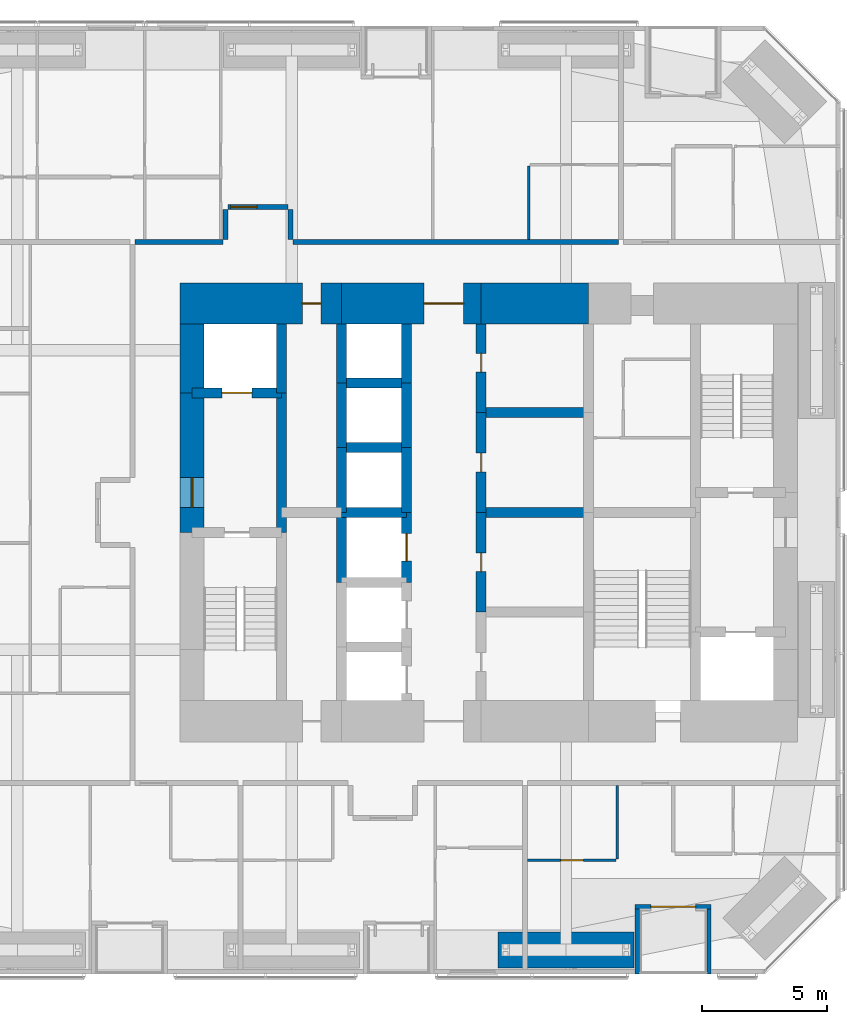
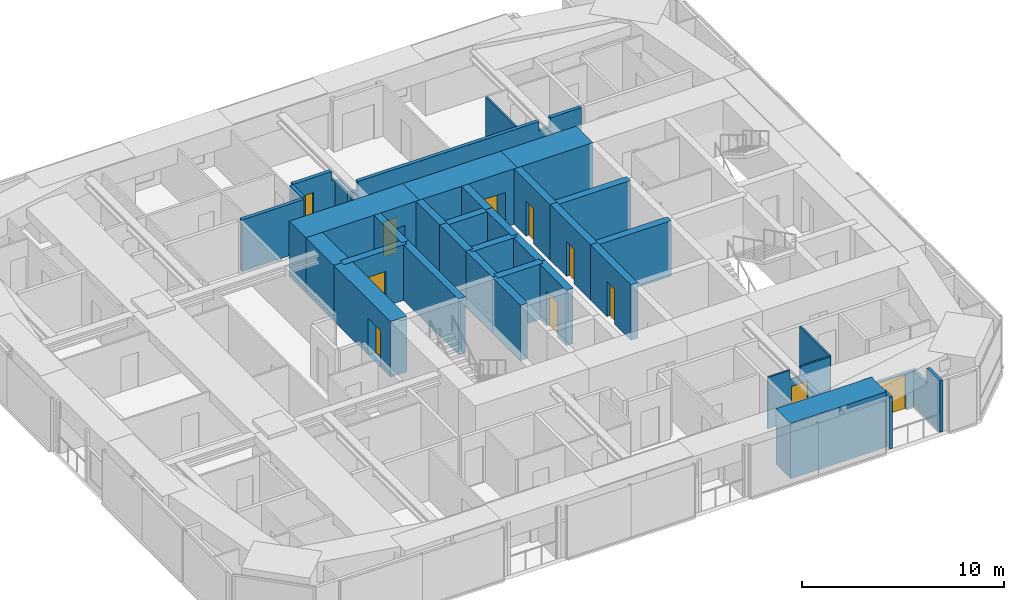
# One storey, part 19 of 23: 37 walls, 11 doors, 11 openings.
"""IFC4 building model written with IfcOpenShell, lengths in metres."""

from ifc_helpers import new_model, si_unit, direction, frame, frame_2d, origin, place, context, subcontext, project, spatial, polyline, rectangle, outline, extrude, material, layer, layer_set, constituent, constituent_set, type_object, element, fill, save


model = new_model("IFC4")

# Units and contexts
model_context = context("Model", 3, precision=1e-05, world=origin(), true_north=direction((0.0, 1.0)))
body_context = subcontext(model_context, "Body", "Model", "MODEL_VIEW")
ifc_project = project(units=[si_unit("LENGTHUNIT", "METRE"), si_unit("AREAUNIT", "SQUARE_METRE"), si_unit("VOLUMEUNIT", "CUBIC_METRE"), si_unit("PLANEANGLEUNIT", "RADIAN"), si_unit("MASSUNIT", "GRAM", prefix="KILO")], contexts=[model_context])

# Site, building, storey
site_placement = place(None, origin())
site = spatial("IfcSite", under=ifc_project, at=site_placement, CompositionType="ELEMENT")
building_placement = place(site_placement, origin())
building = spatial("IfcBuilding", under=site, at=building_placement, Name="Jalousie Tower", CompositionType="ELEMENT")
storey_placement = place(building_placement, frame((0.0, 0.0, 27.699951171875)))
storey = spatial("IfcBuildingStorey", under=building, at=storey_placement, Name="L06", CompositionType="ELEMENT", Elevation=27.699951171875)

# Wall
ifc_material_1 = material(Name="Concrete f'c 120 MPa", Category="concrete")
ifc_layer_1 = layer(ifc_material_1, 1.64990234375)
ifc_layer_set_1 = layer_set([ifc_layer_1], Name="Concrete f'c 120 MPa")
wall_type_1 = type_object("IfcWallType", Name="CORE WALL 1650", PredefinedType="SHEAR", material=ifc_layer_set_1)
wall_1_placement = place(storey_placement, frame((35.89990234375, 26.875, 0.0), z_axis=(0.0, 0.0, 1.0), x_axis=(-1.0, 0.0, 0.0)))
element("IfcWall", 1, at=wall_1_placement, inside=storey, type_object=wall_type_1, Name="Core wall NB L06", PredefinedType="SHEAR", context=body_context, shape_type="SweptSolid", body=[
    extrude(rectangle(XDim=4.2998046875, YDim=1.64990234375, at=frame_2d((2.14990234375, 0.0))), origin(), (0.0, 0.0, 1.0), 3.35009765625),
])

# Wall, opening, door
wall_2_placement = place(storey_placement, frame((31.60009765625, 26.875, 0.0), z_axis=(0.0, 0.0, 1.0), x_axis=(-1.0, 0.0, 0.0)))
wall_2 = element("IfcWall", 2, at=wall_2_placement, inside=storey, type_object=wall_type_1, Name="Core wall NC L06", PredefinedType="SHEAR", context=body_context, shape_type="SweptSolid", body=[
    extrude(rectangle(XDim=5.60009765625, YDim=1.64990234375, at=frame_2d((2.800048828125, 0.0))), origin(), (0.0, 0.0, 1.0), 3.35009765625),
])
opening_1_placement = place(wall_2_placement, frame((0.699951171875, 0.0, 0.0)))
opening_1 = element("IfcOpeningElement", 3, at=opening_1_placement, cuts=wall_2, Name="Opening D15", PredefinedType="OPENING", context=body_context, shape_type="SweptSolid", body=[
    extrude(rectangle(XDim=1.60009765625, YDim=2.10009765625, at=frame_2d((0.800048828125, 1.050048828125))), frame((0.0, 0.8349609375, 0.0), z_axis=(0.0, -1.0, 0.0), x_axis=(1.0, 0.0, 0.0)), (0.0, 0.0, 1.0), 1.669921875),
])
ifc_material_2 = material(Name="Steel fire door", Category="steel")
door_type_1 = type_object("IfcDoorType", Name="LIFT LOBBY DOOR 1600", OperationType="DOUBLE_DOOR_SINGLE_SWING", PredefinedType="DOOR", material=ifc_material_2)
door_1_placement = place(opening_1_placement, origin())
door_1 = element("IfcDoor", 4, at=door_1_placement, inside=storey, type_object=door_type_1, Name="Lift lobby north door", OperationType="DOUBLE_DOOR_SINGLE_SWING", OverallHeight=2.10009765625, OverallWidth=1.60009765625, PredefinedType="DOOR", context=body_context, shape_type="SweptSolid", body=[
    extrude(rectangle(XDim=1.60009765625, YDim=2.10009765625, at=frame_2d((0.800048828125, 1.050048828125))), frame((0.0, 0.02490234375, 0.0), z_axis=(0.0, -1.0, 0.0), x_axis=(1.0, 0.0, 0.0)), (0.0, 0.0, 1.0), 0.050048828125),
])
fill(opening_1, door_1)

wall_3_placement = place(storey_placement, frame((26.0, 26.875, 0.0), z_axis=(0.0, 0.0, 1.0), x_axis=(-1.0, 0.0, 0.0)))
wall_3 = element("IfcWall", 5, at=wall_3_placement, inside=storey, type_object=wall_type_1, Name="Core wall ND L06", PredefinedType="SHEAR", context=body_context, shape_type="SweptSolid", body=[
    extrude(rectangle(XDim=6.47509765625, YDim=1.64990234375, at=frame_2d((3.237548828125, 0.0))), origin(), (0.0, 0.0, 1.0), 3.35009765625),
])
opening_2_placement = place(wall_3_placement, frame((0.824951171875, 0.0, 0.0)))
opening_2 = element("IfcOpeningElement", 6, at=opening_2_placement, cuts=wall_3, Name="Opening D16", PredefinedType="OPENING", context=body_context, shape_type="SweptSolid", body=[
    extrude(rectangle(XDim=0.75, YDim=2.10009765625, at=frame_2d((0.375, 1.050048828125))), frame((0.0, 0.8349609375, 0.0), z_axis=(0.0, -1.0, 0.0), x_axis=(1.0, 0.0, 0.0)), (0.0, 0.0, 1.0), 1.669921875),
])
ifc_material_3 = material(Name="Steel fire door", Category="steel")
door_type_2 = type_object("IfcDoorType", Name="RISER DOOR 750", OperationType="SINGLE_SWING_LEFT", PredefinedType="DOOR", material=ifc_material_3)
door_2_placement = place(opening_2_placement, origin())
door_2 = element("IfcDoor", 7, at=door_2_placement, inside=storey, type_object=door_type_2, Name="North riser door", OperationType="SINGLE_SWING_RIGHT", OverallHeight=2.10009765625, OverallWidth=0.75, PredefinedType="DOOR", context=body_context, shape_type="SweptSolid", body=[
    extrude(rectangle(XDim=0.75, YDim=2.10009765625, at=frame_2d((0.375, 1.050048828125))), frame((0.0, 0.02490234375, 0.0), z_axis=(0.0, -1.0, 0.0), x_axis=(1.0, 0.0, 0.0)), (0.0, 0.0, 1.0), 0.050048828125),
])
fill(opening_2, door_2)

# Walls
ifc_material_4 = material(Name="Concrete f'c 120 MPa", Category="concrete")
ifc_layer_2 = layer(ifc_material_4, 0.39990234375)
ifc_layer_set_2 = layer_set([ifc_layer_2], Name="Concrete f'c 120 MPa")
wall_type_2 = type_object("IfcWallType", Name="CORE WALL 400", PredefinedType="SHEAR", material=ifc_layer_set_2)
wall_4_placement = place(storey_placement, frame((23.60009765625, 17.699951171875, 0.0), z_axis=(0.0, 0.0, 1.0), x_axis=(0.0, 1.0, 0.0)))
element("IfcWall", 8, at=wall_4_placement, inside=storey, type_object=wall_type_2, Name="Core wall X23.6B L06", PredefinedType="SHEAR", context=body_context, shape_type="SweptSolid", body=[
    extrude(rectangle(XDim=5.60009765625, YDim=0.39990234375, at=frame_2d((2.800048828125, 0.0))), origin(), (0.0, 0.0, 1.0), 3.35009765625),
])
wall_5_placement = place(storey_placement, frame((23.60009765625, 23.300048828125, 0.0), z_axis=(0.0, 0.0, 1.0), x_axis=(0.0, 1.0, 0.0)))
element("IfcWall", 9, at=wall_5_placement, inside=storey, type_object=wall_type_2, Name="Core wall X23.6C L06", PredefinedType="SHEAR", context=body_context, shape_type="SweptSolid", body=[
    extrude(rectangle(XDim=2.75, YDim=0.39990234375, at=frame_2d((1.375, 0.0))), origin(), (0.0, 0.0, 1.0), 3.35009765625),
])
wall_6_placement = place(storey_placement, frame((26.0, 15.699951171875, 0.0), z_axis=(0.0, 0.0, 1.0), x_axis=(0.0, 1.0, 0.0)))
element("IfcWall", 10, at=wall_6_placement, inside=storey, type_object=wall_type_2, Name="Core wall X26C L06", PredefinedType="SHEAR", context=body_context, shape_type="SweptSolid", body=[
    extrude(rectangle(XDim=2.800048828125, YDim=0.39990234375, at=frame_2d((1.39990234375, 0.0))), origin(), (0.0, 0.0, 1.0), 3.35009765625),
])
wall_7_placement = place(storey_placement, frame((26.0, 18.5, 0.0), z_axis=(0.0, 0.0, 1.0), x_axis=(0.0, 1.0, 0.0)))
element("IfcWall", 11, at=wall_7_placement, inside=storey, type_object=wall_type_2, Name="Core wall X26D L06", PredefinedType="SHEAR", context=body_context, shape_type="SweptSolid", body=[
    extrude(rectangle(XDim=2.60009765625, YDim=0.39990234375, at=frame_2d((1.300048828125, 0.0))), origin(), (0.0, 0.0, 1.0), 3.35009765625),
])
wall_8_placement = place(storey_placement, frame((26.0, 21.10009765625, 0.0), z_axis=(0.0, 0.0, 1.0), x_axis=(0.0, 1.0, 0.0)))
element("IfcWall", 12, at=wall_8_placement, inside=storey, type_object=wall_type_2, Name="Core wall X26E L06", PredefinedType="SHEAR", context=body_context, shape_type="SweptSolid", body=[
    extrude(rectangle(XDim=2.599853515625, YDim=0.39990234375, at=frame_2d((1.2998046875, 0.0))), origin(), (0.0, 0.0, 1.0), 3.35009765625),
])
wall_9_placement = place(storey_placement, frame((26.0, 23.699951171875, 0.0), z_axis=(0.0, 0.0, 1.0), x_axis=(0.0, 1.0, 0.0)))
element("IfcWall", 13, at=wall_9_placement, inside=storey, type_object=wall_type_2, Name="Core wall X26F L06", PredefinedType="SHEAR", context=body_context, shape_type="SweptSolid", body=[
    extrude(rectangle(XDim=2.35009765625, YDim=0.39990234375, at=frame_2d((1.175048828125, 0.0))), origin(), (0.0, 0.0, 1.0), 3.35009765625),
])

# Wall, opening, door
wall_10_placement = place(storey_placement, frame((28.60009765625, 15.699951171875, 0.0), z_axis=(0.0, 0.0, 1.0), x_axis=(0.0, 1.0, 0.0)))
wall_10 = element("IfcWall", 14, at=wall_10_placement, inside=storey, type_object=wall_type_2, Name="Core wall X28.6C L06", PredefinedType="SHEAR", context=body_context, shape_type="SweptSolid", body=[
    extrude(rectangle(XDim=2.800048828125, YDim=0.39990234375, at=frame_2d((1.39990234375, 0.0))), origin(), (0.0, 0.0, 1.0), 3.35009765625),
])
opening_3_placement = place(wall_10_placement, frame((0.85009765625, 0.0, 0.0)))
opening_3 = element("IfcOpeningElement", 15, at=opening_3_placement, cuts=wall_10, Name="Opening LD1", PredefinedType="OPENING", context=body_context, shape_type="SweptSolid", body=[
    extrude(rectangle(XDim=1.10009765625, YDim=2.10009765625, at=frame_2d((0.550048828125, 1.050048828125))), frame((0.0, 0.2099609375, 0.0), z_axis=(0.0, -1.0, 0.0), x_axis=(1.0, 0.0, 0.0)), (0.0, 0.0, 1.0), 0.419921875),
])
ifc_material_5 = material(Name="Steel lift landing door", Category="steel")
door_type_3 = type_object("IfcDoorType", Name="LIFT LANDING DOOR 1100", OperationType="SLIDING_TO_LEFT", PredefinedType="DOOR", material=ifc_material_5)
door_3_placement = place(opening_3_placement, origin())
door_3 = element("IfcDoor", 16, at=door_3_placement, inside=storey, type_object=door_type_3, Name="Lift P3 landing door", OperationType="SLIDING_TO_LEFT", OverallHeight=2.10009765625, OverallWidth=1.10009765625, PredefinedType="DOOR", context=body_context, shape_type="SweptSolid", body=[
    extrude(rectangle(XDim=1.10009765625, YDim=2.10009765625, at=frame_2d((0.550048828125, 1.050048828125))), frame((0.0, 0.02490234375, 0.0), z_axis=(0.0, -1.0, 0.0), x_axis=(1.0, 0.0, 0.0)), (0.0, 0.0, 1.0), 0.050048828125),
])
fill(opening_3, door_3)

# Walls
wall_11_placement = place(storey_placement, frame((28.60009765625, 18.5, 0.0), z_axis=(0.0, 0.0, 1.0), x_axis=(0.0, 1.0, 0.0)))
element("IfcWall", 17, at=wall_11_placement, inside=storey, type_object=wall_type_2, Name="Core wall X28.6D L06", PredefinedType="SHEAR", context=body_context, shape_type="SweptSolid", body=[
    extrude(rectangle(XDim=2.60009765625, YDim=0.39990234375, at=frame_2d((1.300048828125, 0.0))), origin(), (0.0, 0.0, 1.0), 3.35009765625),
])
wall_12_placement = place(storey_placement, frame((28.60009765625, 21.10009765625, 0.0), z_axis=(0.0, 0.0, 1.0), x_axis=(0.0, 1.0, 0.0)))
element("IfcWall", 18, at=wall_12_placement, inside=storey, type_object=wall_type_2, Name="Core wall X28.6E L06", PredefinedType="SHEAR", context=body_context, shape_type="SweptSolid", body=[
    extrude(rectangle(XDim=2.599853515625, YDim=0.39990234375, at=frame_2d((1.2998046875, 0.0))), origin(), (0.0, 0.0, 1.0), 3.35009765625),
])
wall_13_placement = place(storey_placement, frame((28.60009765625, 23.699951171875, 0.0), z_axis=(0.0, 0.0, 1.0), x_axis=(0.0, 1.0, 0.0)))
element("IfcWall", 19, at=wall_13_placement, inside=storey, type_object=wall_type_2, Name="Core wall X28.6F L06", PredefinedType="SHEAR", context=body_context, shape_type="SweptSolid", body=[
    extrude(rectangle(XDim=2.35009765625, YDim=0.39990234375, at=frame_2d((1.175048828125, 0.0))), origin(), (0.0, 0.0, 1.0), 3.35009765625),
])

# Wall, opening, door
wall_14_placement = place(storey_placement, frame((31.60009765625, 14.5, 0.0), z_axis=(0.0, 0.0, 1.0), x_axis=(0.0, 1.0, 0.0)))
wall_14 = element("IfcWall", 20, at=wall_14_placement, inside=storey, type_object=wall_type_2, Name="Core wall X31.6B L06", PredefinedType="SHEAR", context=body_context, shape_type="SweptSolid", body=[
    extrude(rectangle(XDim=4.0, YDim=0.39990234375, at=frame_2d((2.0, 0.0))), origin(), (0.0, 0.0, 1.0), 3.35009765625),
])
opening_4_placement = place(wall_14_placement, frame((1.625, 0.0, 0.0)))
opening_4 = element("IfcOpeningElement", 21, at=opening_4_placement, cuts=wall_14, Name="Opening D16", PredefinedType="OPENING", context=body_context, shape_type="SweptSolid", body=[
    extrude(rectangle(XDim=0.75, YDim=2.10009765625, at=frame_2d((0.375, 1.050048828125))), frame((0.0, 0.2099609375, 0.0), z_axis=(0.0, -1.0, 0.0), x_axis=(1.0, 0.0, 0.0)), (0.0, 0.0, 1.0), 0.419921875),
])
door_4_placement = place(opening_4_placement, frame((0.75, 0.0, 0.0), z_axis=(0.0, 0.0, 1.0), x_axis=(-1.0, 0.0, 0.0)))
door_4 = element("IfcDoor", 22, at=door_4_placement, inside=storey, type_object=door_type_2, Name="Electrical Room door", OperationType="SINGLE_SWING_LEFT", OverallHeight=2.10009765625, OverallWidth=0.75, PredefinedType="DOOR", context=body_context, shape_type="SweptSolid", body=[
    extrude(rectangle(XDim=0.75, YDim=2.10009765625, at=frame_2d((0.375, 1.050048828125))), frame((0.0, 0.02490234375, 0.0), z_axis=(0.0, -1.0, 0.0), x_axis=(1.0, 0.0, 0.0)), (0.0, 0.0, 1.0), 0.050048828125),
])
fill(opening_4, door_4)

wall_15_placement = place(storey_placement, frame((31.60009765625, 18.5, 0.0), z_axis=(0.0, 0.0, 1.0), x_axis=(0.0, 1.0, 0.0)))
wall_15 = element("IfcWall", 23, at=wall_15_placement, inside=storey, type_object=wall_type_2, Name="Core wall X31.6C L06", PredefinedType="SHEAR", context=body_context, shape_type="SweptSolid", body=[
    extrude(rectangle(XDim=4.0, YDim=0.39990234375, at=frame_2d((2.0, 0.0))), origin(), (0.0, 0.0, 1.0), 3.35009765625),
])
opening_5_placement = place(wall_15_placement, frame((1.625, 0.0, 0.0)))
opening_5 = element("IfcOpeningElement", 24, at=opening_5_placement, cuts=wall_15, Name="Opening D16", PredefinedType="OPENING", context=body_context, shape_type="SweptSolid", body=[
    extrude(rectangle(XDim=0.75, YDim=2.10009765625, at=frame_2d((0.375, 1.050048828125))), frame((0.0, 0.2099609375, 0.0), z_axis=(0.0, -1.0, 0.0), x_axis=(1.0, 0.0, 0.0)), (0.0, 0.0, 1.0), 0.419921875),
])
door_5_placement = place(opening_5_placement, frame((0.75, 0.0, 0.0), z_axis=(0.0, 0.0, 1.0), x_axis=(-1.0, 0.0, 0.0)))
door_5 = element("IfcDoor", 25, at=door_5_placement, inside=storey, type_object=door_type_2, Name="Telecom Room door", OperationType="SINGLE_SWING_LEFT", OverallHeight=2.10009765625, OverallWidth=0.75, PredefinedType="DOOR", context=body_context, shape_type="SweptSolid", body=[
    extrude(rectangle(XDim=0.75, YDim=2.10009765625, at=frame_2d((0.375, 1.050048828125))), frame((0.0, 0.02490234375, 0.0), z_axis=(0.0, -1.0, 0.0), x_axis=(1.0, 0.0, 0.0)), (0.0, 0.0, 1.0), 0.050048828125),
])
fill(opening_5, door_5)

wall_16_placement = place(storey_placement, frame((31.60009765625, 22.5, 0.0), z_axis=(0.0, 0.0, 1.0), x_axis=(0.0, 1.0, 0.0)))
wall_16 = element("IfcWall", 26, at=wall_16_placement, inside=storey, type_object=wall_type_2, Name="Core wall X31.6D L06", PredefinedType="SHEAR", context=body_context, shape_type="SweptSolid", body=[
    extrude(rectangle(XDim=3.550048828125, YDim=0.39990234375, at=frame_2d((1.77490234375, 0.0))), origin(), (0.0, 0.0, 1.0), 3.35009765625),
])
opening_6_placement = place(wall_16_placement, frame((1.625, 0.0, 0.0)))
opening_6 = element("IfcOpeningElement", 27, at=opening_6_placement, cuts=wall_16, Name="Opening D16", PredefinedType="OPENING", context=body_context, shape_type="SweptSolid", body=[
    extrude(rectangle(XDim=0.75, YDim=2.10009765625, at=frame_2d((0.375, 1.050048828125))), frame((0.0, 0.2099609375, 0.0), z_axis=(0.0, -1.0, 0.0), x_axis=(1.0, 0.0, 0.0)), (0.0, 0.0, 1.0), 0.419921875),
])
door_6_placement = place(opening_6_placement, frame((0.75, 0.0, 0.0), z_axis=(0.0, 0.0, 1.0), x_axis=(-1.0, 0.0, 0.0)))
door_6 = element("IfcDoor", 28, at=door_6_placement, inside=storey, type_object=door_type_2, Name="Water Services Room door", OperationType="SINGLE_SWING_LEFT", OverallHeight=2.10009765625, OverallWidth=0.75, PredefinedType="DOOR", context=body_context, shape_type="SweptSolid", body=[
    extrude(rectangle(XDim=0.75, YDim=2.10009765625, at=frame_2d((0.375, 1.050048828125))), frame((0.0, 0.02490234375, 0.0), z_axis=(0.0, -1.0, 0.0), x_axis=(1.0, 0.0, 0.0)), (0.0, 0.0, 1.0), 0.050048828125),
])
fill(opening_6, door_6)

wall_17_placement = place(storey_placement, frame((20.0, 23.300048828125, 0.0), z_axis=(0.0, 0.0, 1.0), x_axis=(1.0, 0.0, 0.0)))
wall_17 = element("IfcWall", 29, at=wall_17_placement, inside=storey, type_object=wall_type_2, Name="Core wall Y20-23.3 L06", PredefinedType="SHEAR", context=body_context, shape_type="SweptSolid", body=[
    extrude(rectangle(XDim=3.60009765625, YDim=0.39990234375, at=frame_2d((1.800048828125, 0.0))), origin(), (0.0, 0.0, 1.0), 3.35009765625),
])
opening_7_placement = place(wall_17_placement, frame((1.199951171875, 0.0, 0.0)))
opening_7 = element("IfcOpeningElement", 30, at=opening_7_placement, cuts=wall_17, Name="Opening LD2", PredefinedType="OPENING", context=body_context, shape_type="SweptSolid", body=[
    extrude(rectangle(XDim=1.199951171875, YDim=2.10009765625, at=frame_2d((0.60009765625, 1.050048828125))), frame((0.0, 0.2099609375, 0.0), z_axis=(0.0, -1.0, 0.0), x_axis=(1.0, 0.0, 0.0)), (0.0, 0.0, 1.0), 0.419921875),
])
ifc_material_6 = material(Name="Steel lift landing door", Category="steel")
door_type_4 = type_object("IfcDoorType", Name="LIFT LANDING DOOR 1200", OperationType="SLIDING_TO_LEFT", PredefinedType="DOOR", material=ifc_material_6)
door_7_placement = place(opening_7_placement, origin())
door_7 = element("IfcDoor", 31, at=door_7_placement, inside=storey, type_object=door_type_4, Name="Lift F1 landing door", OperationType="SLIDING_TO_LEFT", OverallHeight=2.10009765625, OverallWidth=1.199951171875, PredefinedType="DOOR", context=body_context, shape_type="SweptSolid", body=[
    extrude(rectangle(XDim=1.199951171875, YDim=2.10009765625, at=frame_2d((0.60009765625, 1.050048828125))), frame((0.0, 0.02490234375, 0.0), z_axis=(0.0, -1.0, 0.0), x_axis=(1.0, 0.0, 0.0)), (0.0, 0.0, 1.0), 0.050048828125),
])
fill(opening_7, door_7)

# Walls
for number, where, z_axis, x_axis, name in (
    (32, (26.0, 18.5, 0.0), (0.0, 0.0, 1.0), (1.0, 0.0, 0.0), "Core wall Y26-18.5 L06"),
    (33, (26.0, 21.10009765625, 0.0), (0.0, 0.0, 1.0), (1.0, 0.0, 0.0), "Core wall Y26-21.1 L06"),
    (34, (26.0, 23.699951171875, 0.0), (0.0, 0.0, 1.0), (1.0, 0.0, 0.0), "Core wall Y26-23.7 L06"),
):
    element("IfcWall", number, at=place(storey_placement, frame(where, z_axis=z_axis, x_axis=x_axis)), inside=storey, type_object=wall_type_2, Name=name, PredefinedType="SHEAR", context=body_context, shape_type="SweptSolid", body=[
        extrude(rectangle(XDim=2.60009765625, YDim=0.39990234375, at=frame_2d((1.300048828125, 0.0))), origin(), (0.0, 0.0, 1.0), 3.35009765625),
    ])
for number, where, z_axis, x_axis, name in (
    (35, (31.60009765625, 18.5, 0.0), (0.0, 0.0, 1.0), (1.0, 0.0, 0.0), "Core wall Y31.6-18.5 L06"),
    (36, (31.60009765625, 22.5, 0.0), (0.0, 0.0, 1.0), (1.0, 0.0, 0.0), "Core wall Y31.6-22.5 L06"),
):
    element("IfcWall", number, at=place(storey_placement, frame(where, z_axis=z_axis, x_axis=x_axis)), inside=storey, type_object=wall_type_2, Name=name, PredefinedType="SHEAR", context=body_context, shape_type="SweptSolid", body=[
        extrude(rectangle(XDim=4.2998046875, YDim=0.39990234375, at=frame_2d((2.14990234375, 0.0))), origin(), (0.0, 0.0, 1.0), 3.35009765625),
    ])
ifc_material_7 = material(Name="Concrete f'c 120 MPa", Category="concrete")
ifc_layer_3 = layer(ifc_material_7, 0.949951171875)
ifc_layer_set_3 = layer_set([ifc_layer_3], Name="Concrete f'c 120 MPa")
wall_type_3 = type_object("IfcWallType", Name="CORE WALL 950", PredefinedType="SHEAR", material=ifc_layer_set_3)
wall_18_placement = place(storey_placement, frame((20.0, 26.050048828125, 0.0), z_axis=(0.0, 0.0, 1.0), x_axis=(0.0, -1.0, 0.0)))
element("IfcWall", 37, at=wall_18_placement, inside=storey, type_object=wall_type_3, Name="Core wall WA L06", PredefinedType="SHEAR", context=body_context, shape_type="SweptSolid", body=[
    extrude(rectangle(XDim=2.75, YDim=0.949951171875, at=frame_2d((1.375, 0.0))), origin(), (0.0, 0.0, 1.0), 3.35009765625),
])

# Wall, opening, door
wall_19_placement = place(storey_placement, frame((20.0, 23.300048828125, 0.0), z_axis=(0.0, 0.0, 1.0), x_axis=(0.0, -1.0, 0.0)))
wall_19 = element("IfcWall", 38, at=wall_19_placement, inside=storey, type_object=wall_type_3, Name="Core wall WB L06", PredefinedType="SHEAR", context=body_context, shape_type="SweptSolid", body=[
    extrude(rectangle(XDim=5.60009765625, YDim=0.949951171875, at=frame_2d((2.800048828125, 0.0))), origin(), (0.0, 0.0, 1.0), 3.35009765625),
])
opening_8_placement = place(wall_19_placement, frame((3.39990234375, 0.0, 0.0)))
opening_8 = element("IfcOpeningElement", 39, at=opening_8_placement, cuts=wall_19, Name="Opening D11", PredefinedType="OPENING", context=body_context, shape_type="SweptSolid", body=[
    extrude(rectangle(XDim=1.199951171875, YDim=2.199951171875, at=frame_2d((0.60009765625, 1.10009765625))), frame((0.0, 0.48486328125, 0.0), z_axis=(0.0, -1.0, 0.0), x_axis=(1.0, 0.0, 0.0)), (0.0, 0.0, 1.0), 0.969970703125),
])
ifc_material_8 = material(Name="Steel fire door", Category="steel")
door_type_5 = type_object("IfcDoorType", Name="FIRE DOOR 1200", OperationType="SINGLE_SWING_LEFT", PredefinedType="DOOR", material=ifc_material_8)
door_8_placement = place(opening_8_placement, origin())
door_8 = element("IfcDoor", 40, at=door_8_placement, inside=storey, type_object=door_type_5, Name="Fire-fighting lobby A door", OperationType="SINGLE_SWING_RIGHT", OverallHeight=2.199951171875, OverallWidth=1.199951171875, PredefinedType="DOOR", context=body_context, shape_type="SweptSolid", body=[
    extrude(rectangle(XDim=1.199951171875, YDim=2.199951171875, at=frame_2d((0.60009765625, 1.10009765625))), frame((0.0, 0.02490234375, 0.0), z_axis=(0.0, -1.0, 0.0), x_axis=(1.0, 0.0, 0.0)), (0.0, 0.0, 1.0), 0.050048828125),
])
fill(opening_8, door_8)

# Walls
ifc_material_9 = material(Name="Concrete block ASTM C90", Category="concrete")
ifc_constituent_1 = constituent(ifc_material_9, Name="Body")
ifc_material_10 = material(Name="Render")
ifc_constituent_2 = constituent(ifc_material_10, Name="Finish")
ifc_constituent_set_1 = constituent_set(constituents=[ifc_constituent_1, ifc_constituent_2])
wall_type_4 = type_object("IfcWallType", Name="CORRIDOR WALL 200", PredefinedType="PARTITIONING", material=ifc_constituent_set_1)
wall_20_placement = place(storey_placement, frame((17.72509765625, 29.35009765625, 0.0), z_axis=(0.0, 0.0, 1.0), x_axis=(1.0, 0.0, 0.0)))
element("IfcWall", 41, at=wall_20_placement, inside=storey, type_object=wall_type_4, Name="Corridor Wall 200 L06", PredefinedType="PARTITIONING", context=body_context, shape_type="SweptSolid", body=[
    extrude(rectangle(XDim=3.52490234375, YDim=0.199951171875, at=frame_2d((1.762451171875, 0.0))), origin(), (0.0, 0.0, 1.0), 3.110107421875),
])
wall_21_placement = place(storey_placement, frame((24.050048828125, 29.35009765625, 0.0), z_axis=(0.0, 0.0, 1.0), x_axis=(1.0, 0.0, 0.0)))
element("IfcWall", 42, at=wall_21_placement, inside=storey, type_object=wall_type_4, Name="Corridor Wall 200 L06", PredefinedType="PARTITIONING", context=body_context, shape_type="SweptSolid", body=[
    extrude(outline(polyline([(0.0, 0.0), (13.050048828125, 0.0), (13.050048828125, 3.110107421875), (11.287353515625, 3.110107421875), (11.287353515625, 2.541015625), (10.612548828125, 2.541015625), (10.612548828125, 3.110107421875), (0.287353515625, 3.110107421875), (0.287353515625, 2.541015625), (0.0, 2.541015625), (0.0, 3.110107421875), (0.0, 0.0)])), frame((0.0, 0.10009765625, 0.0), z_axis=(0.0, -1.0, 0.0), x_axis=(1.0, 0.0, 0.0)), (0.0, 0.0, 1.0), 0.199951171875),
])

# Wall, opening, door
wall_22_placement = place(storey_placement, frame((21.449951171875, 30.75, 0.0), z_axis=(0.0, 0.0, 1.0), x_axis=(1.0, 0.0, 0.0)))
wall_22 = element("IfcWall", 43, at=wall_22_placement, inside=storey, type_object=wall_type_4, Name="Corridor Wall 200 L06", PredefinedType="PARTITIONING", context=body_context, shape_type="SweptSolid", body=[
    extrude(outline(polyline([(0.0, 0.0), (2.400146484375, 0.0), (2.39990234375, 3.110107421875), (2.39990234375, 2.541015625), (2.212646484375, 2.541015625), (2.212646484375, 3.110107421875), (0.0, 3.110107421875), (0.0, 0.0)])), frame((0.0, 0.10009765625, 0.0), z_axis=(0.0, -1.0, 0.0), x_axis=(1.0, 0.0, 0.0)), (0.0, 0.0, 1.0), 0.199951171875),
])
opening_9_placement = place(wall_22_placement, frame((0.10009765625, 0.0, 0.0)))
opening_9 = element("IfcOpeningElement", 44, at=opening_9_placement, cuts=wall_22, Name="Opening D1", PredefinedType="OPENING", context=body_context, shape_type="SweptSolid", body=[
    extrude(rectangle(XDim=1.050048828125, YDim=2.199951171875, at=frame_2d((0.52490234375, 1.10009765625))), frame((0.0, 0.10986328125, 0.0), z_axis=(0.0, -1.0, 0.0), x_axis=(1.0, 0.0, 0.0)), (0.0, 0.0, 1.0), 0.219970703125),
])
ifc_material_11 = material(Name="Timber fire door", Category="wood")
door_type_6 = type_object("IfcDoorType", Name="APARTMENT ENTRANCE DOOR 1050", OperationType="SINGLE_SWING_LEFT", PredefinedType="DOOR", material=ifc_material_11)
door_9_placement = place(opening_9_placement, origin())
door_9 = element("IfcDoor", 45, at=door_9_placement, inside=storey, type_object=door_type_6, Name="Apartment 0604 entrance", OperationType="SINGLE_SWING_LEFT", OverallHeight=2.199951171875, OverallWidth=1.050048828125, PredefinedType="DOOR", context=body_context, shape_type="SweptSolid", body=[
    extrude(rectangle(XDim=1.050048828125, YDim=2.199951171875, at=frame_2d((0.52490234375, 1.10009765625))), frame((0.0, 0.02490234375, 0.0), z_axis=(0.0, -1.0, 0.0), x_axis=(1.0, 0.0, 0.0)), (0.0, 0.0, 1.0), 0.050048828125),
])
fill(opening_9, door_9)

# Walls
wall_23_placement = place(storey_placement, frame((21.35009765625, 29.449951171875, 0.0), z_axis=(0.0, 0.0, 1.0), x_axis=(0.0, 1.0, 0.0)))
element("IfcWall", 46, at=wall_23_placement, inside=storey, type_object=wall_type_4, Name="Corridor Wall 200 L06", PredefinedType="PARTITIONING", context=body_context, shape_type="SweptSolid", body=[
    extrude(rectangle(XDim=1.199951171875, YDim=0.199951171875, at=frame_2d((0.60009765625, 0.0))), origin(), (0.0, 0.0, 1.0), 3.110107421875),
])
wall_24_placement = place(storey_placement, frame((23.949951171875, 29.449951171875, 0.0), z_axis=(0.0, 0.0, 1.0), x_axis=(0.0, 1.0, 0.0)))
element("IfcWall", 47, at=wall_24_placement, inside=storey, type_object=wall_type_4, Name="Corridor Wall 200 L06", PredefinedType="PARTITIONING", context=body_context, shape_type="SweptSolid", body=[
    extrude(outline(polyline([(0.0, 0.0), (1.199951171875, 0.0), (1.199951171875, 3.110107421875), (1.199951171875, 2.541015625), (0.0, 2.541015625), (0.0, 3.110107421875), (0.0, 0.0)])), frame((0.0, 0.10009765625, 0.0), z_axis=(0.0, -1.0, 0.0), x_axis=(1.0, 0.0, 0.0)), (0.0, 0.0, 1.0), 0.199951171875),
])
ifc_material_12 = material(Name="Concrete f'c 40 MPa", Category="concrete")
ifc_constituent_3 = constituent(ifc_material_12, Name="Body")
ifc_material_13 = material(Name="Render, pastel coral")
ifc_constituent_4 = constituent(ifc_material_13, Name="Finish")
ifc_constituent_set_2 = constituent_set(constituents=[ifc_constituent_3, ifc_constituent_4])
wall_type_5 = type_object("IfcWallType", Name="EXTERNAL WALL 175 CORAL RENDER", PredefinedType="SOLIDWALL", material=ifc_constituent_set_2)
wall_25_placement = place(storey_placement, frame((37.77490234375, 2.6875, 0.0), z_axis=(0.0, 0.0, 1.0), x_axis=(1.0, 0.0, 0.0)))
element("IfcWall", 48, at=wall_25_placement, inside=storey, type_object=wall_type_5, Name="External Wall 175 Coral Render L06-A", PredefinedType="SOLIDWALL", context=body_context, shape_type="SweptSolid", body=[
    extrude(rectangle(XDim=0.625, YDim=0.175048828125, at=frame_2d((0.3125, 0.0))), origin(), (0.0, 0.0, 1.0), 2.510009765625),
])

# Wall, opening, door
wall_26_placement = place(storey_placement, frame((38.39990234375, 2.6875, 0.0), z_axis=(0.0, 0.0, 1.0), x_axis=(1.0, 0.0, 0.0)))
wall_26 = element("IfcWall", 49, at=wall_26_placement, inside=storey, type_object=wall_type_5, Name="External Wall 175 Coral Render L06-B", PredefinedType="SOLIDWALL", context=body_context, shape_type="SweptSolid", body=[
    extrude(rectangle(XDim=2.425048828125, YDim=0.175048828125, at=frame_2d((1.21240234375, 0.0))), origin(), (0.0, 0.0, 1.0), 2.150146484375),
])
opening_10_placement = place(wall_26_placement, origin())
opening_10 = element("IfcOpeningElement", 50, at=opening_10_placement, cuts=wall_26, Name="Opening D-BAL21", PredefinedType="OPENING", context=body_context, shape_type="SweptSolid", body=[
    extrude(rectangle(XDim=1.800048828125, YDim=2.10009765625, at=frame_2d((0.89990234375, 1.050048828125))), frame((0.0, 0.097412109375, 0.0), z_axis=(0.0, -1.0, 0.0), x_axis=(1.0, 0.0, 0.0)), (0.0, 0.0, 1.0), 0.195068359375),
])
ifc_material_14 = material(Name="Aluminium frame, impact-rated glazing", Category="aluminium")
door_type_7 = type_object("IfcDoorType", Name="BALCONY DOOR 1800x2100", OperationType="SLIDING_TO_LEFT", PredefinedType="DOOR", material=ifc_material_14)
door_10_placement = place(opening_10_placement, origin())
door_10 = element("IfcDoor", 51, at=door_10_placement, inside=storey, type_object=door_type_7, Name="Apartment 0603 living and dining room loggia door", OperationType="SLIDING_TO_LEFT", OverallHeight=2.10009765625, OverallWidth=1.800048828125, PredefinedType="DOOR", context=body_context, shape_type="SweptSolid", body=[
    extrude(rectangle(XDim=1.800048828125, YDim=2.10009765625, at=frame_2d((0.89990234375, 1.050048828125))), frame((0.0, 0.02490234375, 0.0), z_axis=(0.0, -1.0, 0.0), x_axis=(1.0, 0.0, 0.0)), (0.0, 0.0, 1.0), 0.050048828125),
])
fill(opening_10, door_10)

# Walls
wall_27_placement = place(storey_placement, frame((37.862548828125, 0.0, 0.0), z_axis=(0.0, 0.0, 1.0), x_axis=(0.0, 1.0, 0.0)))
element("IfcWall", 52, at=wall_27_placement, inside=storey, type_object=wall_type_5, Name="External Wall 175 Coral Render L06", PredefinedType="SOLIDWALL", context=body_context, shape_type="SweptSolid", body=[
    extrude(outline(polyline([(0.0, 0.0), (2.60009765625, 0.0), (2.60009765625, 2.510009765625), (2.358642578125, 2.510009765625), (2.358642578125, 2.150146484375), (0.691650390625, 2.150146484375), (0.691650390625, 3.110107421875), (0.0, 3.110107421875), (0.0, 0.0)])), frame((0.0, 0.08740234375, 0.0), z_axis=(0.0, -1.0, 0.0), x_axis=(1.0, 0.0, 0.0)), (0.0, 0.0, 1.0), 0.175048828125),
])
wall_28_placement = place(storey_placement, frame((40.737548828125, 0.0, 0.0), z_axis=(0.0, 0.0, 1.0), x_axis=(0.0, 1.0, 0.0)))
element("IfcWall", 53, at=wall_28_placement, inside=storey, type_object=wall_type_5, Name="External Wall 175 Coral Render L06", PredefinedType="SOLIDWALL", context=body_context, shape_type="SweptSolid", body=[
    extrude(outline(polyline([(0.0, 0.0), (2.60009765625, 0.0), (2.60009765625, 2.150146484375), (1.269287109375, 2.150146484375), (1.269287109375, 3.110107421875), (0.0, 3.110107421875), (0.0, 0.0)])), frame((0.0, 0.08740234375, 0.0), z_axis=(0.0, -1.0, 0.0), x_axis=(1.0, 0.0, 0.0)), (0.0, 0.0, 1.0), 0.175048828125),
])

# Wall, opening, door
ifc_material_15 = material(Name="Gypsum board", Category="gypsum")
ifc_constituent_5 = constituent(ifc_material_15, Name="Body")
ifc_material_16 = material(Name="Light-gauge steel studs ASTM A653 SS Grade 33", Category="steel")
ifc_constituent_6 = constituent(ifc_material_16, Name="Framing")
ifc_constituent_set_3 = constituent_set(constituents=[ifc_constituent_5, ifc_constituent_6])
wall_type_6 = type_object("IfcWallType", Name="PARTITION 100", PredefinedType="PARTITIONING", material=ifc_constituent_set_3)
wall_29_placement = place(storey_placement, frame((33.449951171875, 4.550048828125, 0.0), z_axis=(0.0, 0.0, 1.0), x_axis=(1.0, 0.0, 0.0)))
wall_29 = element("IfcWall", 54, at=wall_29_placement, inside=storey, type_object=wall_type_6, Name="Partition 100 L06", PredefinedType="PARTITIONING", context=body_context, shape_type="SweptSolid", body=[
    extrude(outline(polyline([(0.0, 0.0), (3.550048828125, 0.0), (3.550048828125, 3.110107421875), (1.83740234375, 3.110107421875), (1.83740234375, 2.541015625), (1.2626953125, 2.541015625), (1.2626953125, 3.110107421875), (0.0, 3.110107421875), (0.0, 0.0)])), frame((0.0, 0.050048828125, 0.0), z_axis=(0.0, -1.0, 0.0), x_axis=(1.0, 0.0, 0.0)), (0.0, 0.0, 1.0), 0.10009765625),
])
opening_11_placement = place(wall_29_placement, frame((1.35009765625, 0.0, 0.0)))
opening_11 = element("IfcOpeningElement", 55, at=opening_11_placement, cuts=wall_29, Name="Opening D7", PredefinedType="OPENING", context=body_context, shape_type="SweptSolid", body=[
    extrude(rectangle(XDim=0.89990234375, YDim=2.10009765625, at=frame_2d((0.449951171875, 1.050048828125))), frame((0.0, 0.06005859375, 0.0), z_axis=(0.0, -1.0, 0.0), x_axis=(1.0, 0.0, 0.0)), (0.0, 0.0, 1.0), 0.1201171875),
])
ifc_material_17 = material(Name="Timber door", Category="wood")
door_type_8 = type_object("IfcDoorType", Name="INTERNAL DOOR 900", OperationType="SINGLE_SWING_LEFT", PredefinedType="DOOR", material=ifc_material_17)
door_11_placement = place(opening_11_placement, frame((0.89990234375, 0.0, 0.0), z_axis=(0.0, 0.0, 1.0), x_axis=(-1.0, 0.0, 0.0)))
door_11 = element("IfcDoor", 56, at=door_11_placement, inside=storey, type_object=door_type_8, Name="Apartment 0603 kitchen door", OperationType="SINGLE_SWING_RIGHT", OverallHeight=2.10009765625, OverallWidth=0.89990234375, PredefinedType="DOOR", context=body_context, shape_type="SweptSolid", body=[
    extrude(rectangle(XDim=0.89990234375, YDim=2.10009765625, at=frame_2d((0.449951171875, 1.050048828125))), frame((0.0, 0.02490234375, 0.0), z_axis=(0.0, -1.0, 0.0), x_axis=(1.0, 0.0, 0.0)), (0.0, 0.0, 1.0), 0.050048828125),
])
fill(opening_11, door_11)

# Walls
for number, where, z_axis, x_axis, name in (
    (57, (37.050048828125, 4.60009765625, 0.0), (0.0, 0.0, 1.0), (0.0, 1.0, 0.0), "Partition 100 L06"),
    (58, (33.5, 32.39990234375, 0.0), (0.0, 0.0, 1.0), (0.0, -1.0, 0.0), "Partition 100 L06"),
):
    element("IfcWall", number, at=place(storey_placement, frame(where, z_axis=z_axis, x_axis=x_axis)), inside=storey, type_object=wall_type_6, Name=name, PredefinedType="PARTITIONING", context=body_context, shape_type="SweptSolid", body=[
        extrude(rectangle(XDim=2.949951171875, YDim=0.10009765625, at=frame_2d((1.47509765625, 0.0))), origin(), (0.0, 0.0, 1.0), 3.110107421875),
    ])
ifc_material_18 = material(Name="Concrete f'c 120 MPa", Category="concrete")
ifc_layer_4 = layer(ifc_material_18, 1.449951171875)
ifc_layer_set_4 = layer_set([ifc_layer_4], Name="Concrete f'c 120 MPa")
wall_type_7 = type_object("IfcWallType", Name="RC WALL PIER 1450", PredefinedType="SHEAR", material=ifc_layer_set_4)
wall_30_placement = place(storey_placement, frame((32.27490234375, 0.949951171875, 0.0), z_axis=(0.0, 0.0, 1.0), x_axis=(1.0, 0.0, 0.0)))
element("IfcWall", 59, at=wall_30_placement, inside=storey, type_object=wall_type_7, Name="Wall pier 04 L06", PredefinedType="SHEAR", context=body_context, shape_type="SweptSolid", body=[
    extrude(rectangle(XDim=5.4501953125, YDim=1.449951171875, at=frame_2d((2.72509765625, 0.0))), origin(), (0.0, 0.0, 1.0), 3.35009765625),
])

save(model, "model.ifc")
